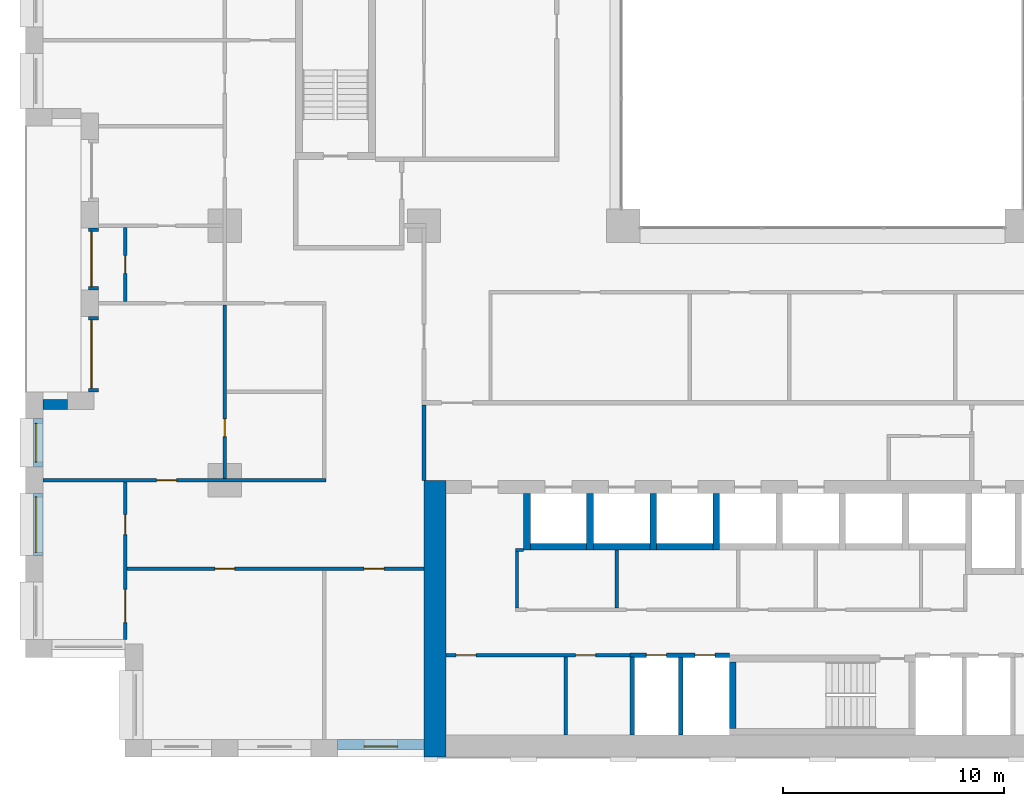
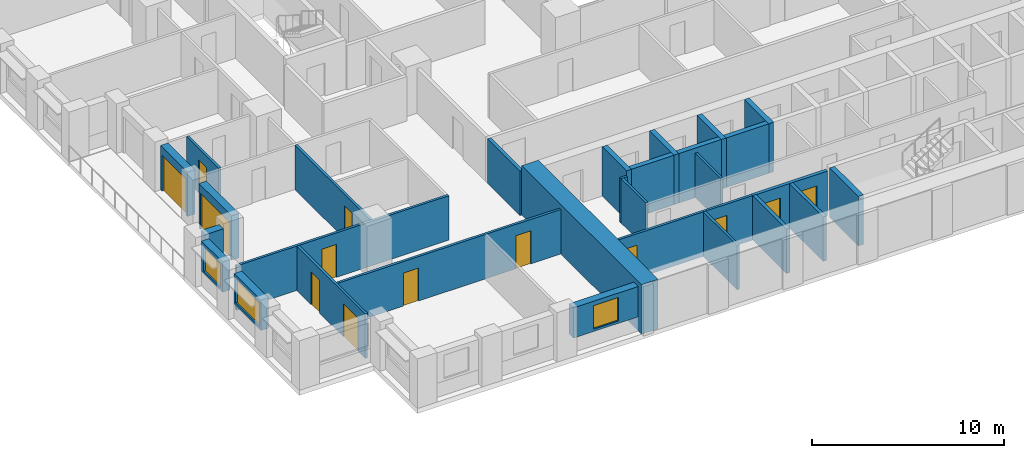
# One storey, part 9 of 20: 29 walls, 13 doors, 3 windows, 16 openings.
"""IFC4 building model written with IfcOpenShell, lengths in metres."""

from ifc_helpers import new_model, si_unit, direction, frame, frame_2d, origin, place, context, subcontext, project, spatial, rectangle, extrude, material, layer, layer_set, type_object, element, fill, save


model = new_model("IFC4")

# Units and contexts
model_context = context("Model", 3, precision=1e-05, world=origin(), true_north=direction((0.0, 1.0)))
body_context = subcontext(model_context, "Body", "Model", "MODEL_VIEW")
ifc_project = project(units=[si_unit("LENGTHUNIT", "METRE"), si_unit("AREAUNIT", "SQUARE_METRE"), si_unit("VOLUMEUNIT", "CUBIC_METRE"), si_unit("PLANEANGLEUNIT", "RADIAN"), si_unit("MASSUNIT", "GRAM", prefix="KILO")], contexts=[model_context])

# Site, building, storey
site_placement = place(None, origin())
site = spatial("IfcSite", under=ifc_project, at=site_placement, CompositionType="ELEMENT")
building_placement = place(site_placement, origin())
building = spatial("IfcBuilding", under=site, at=building_placement, Name="Brigalow Station Residences", CompositionType="ELEMENT")
storey_placement = place(building_placement, frame((0.0, 0.0, 66.75)))
storey = spatial("IfcBuildingStorey", under=building, at=storey_placement, Name="L19", CompositionType="ELEMENT", Elevation=66.75)

# Wall, opening, window
ifc_material_1 = material(Name="Clay brick masonry", Category="masonry")
ifc_layer_1 = layer(ifc_material_1, 0.449951171875)
ifc_layer_set_1 = layer_set([ifc_layer_1], Name="BRICK INFILL WALL 450")
wall_type_1 = type_object("IfcWallType", Name="BRICK INFILL WALL 450", PredefinedType="SOLIDWALL", material=ifc_layer_set_1)
wall_1_placement = place(storey_placement, frame((14.10009765625, 0.574951171875, 0.89990234375), z_axis=(0.0, 0.0, 1.0), x_axis=(1.0, 0.0, 0.0)))
wall_1 = element("IfcWall", 1, at=wall_1_placement, inside=storey, type_object=wall_type_1, Name="L19/ewall/W-L19-3", PredefinedType="SOLIDWALL", context=body_context, shape_type="SweptSolid", body=[
    extrude(rectangle(XDim=3.89990234375, YDim=0.449951171875, at=frame_2d((1.949951171875, 0.0))), origin(), (0.0, 0.0, 1.0), 1.93017578125),
])
opening_1_placement = place(wall_1_placement, frame((1.199951171875, 0.0, 0.14990234375)))
opening_1 = element("IfcOpeningElement", 2, at=opening_1_placement, cuts=wall_1, Name="Opening WT-1", PredefinedType="OPENING", context=body_context, shape_type="SweptSolid", body=[
    extrude(rectangle(XDim=1.5, YDim=1.5, at=frame_2d((0.75, 0.75))), frame((0.0, 0.23486328125, 0.0), z_axis=(0.0, -1.0, 0.0), x_axis=(1.0, 0.0, 0.0)), (0.0, 0.0, 1.0), 0.469970703125),
])
ifc_material_2 = material(Name="Anodised aluminium frame with double glazing", Category="aluminium")
window_type_1 = type_object("IfcWindowType", Name="WINDOW 1500x1500", PartitioningType="SINGLE_PANEL", PredefinedType="WINDOW", material=ifc_material_2)
window_1_placement = place(opening_1_placement, origin())
window_1 = element("IfcWindow", 3, at=window_1_placement, inside=storey, type_object=window_type_1, Name="L19/window/W-L19-3", OverallHeight=1.5, OverallWidth=1.5, PartitioningType="SINGLE_PANEL", PredefinedType="WINDOW", context=body_context, shape_type="SweptSolid", body=[
    extrude(rectangle(XDim=1.5, YDim=1.5, at=frame_2d((0.75, 0.75))), frame((0.0, -0.06494140625, 0.0), z_axis=(0.0, -1.0, 0.0), x_axis=(1.0, 0.0, 0.0)), (0.0, 0.0, 1.0), 0.06005859375),
])
fill(opening_1, window_1)

# Wall, opening, door
wall_2_placement = place(storey_placement, frame((3.074951171875, 23.89990234375, 0.0), z_axis=(0.0, 0.0, 1.0), x_axis=(0.0, -1.0, 0.0)))
wall_2 = element("IfcWall", 4, at=wall_2_placement, inside=storey, type_object=wall_type_1, Name="L19/ewall/W-L19-48", PredefinedType="SOLIDWALL", context=body_context, shape_type="SweptSolid", body=[
    extrude(rectangle(XDim=2.7998046875, YDim=0.449951171875, at=frame_2d((1.39990234375, 0.0))), origin(), (0.0, 0.0, 1.0), 2.830078125),
])
opening_2_placement = place(wall_2_placement, frame((0.14990234375, 0.0, 0.0)))
opening_2 = element("IfcOpeningElement", 5, at=opening_2_placement, cuts=wall_2, Name="Opening D-B2500", PredefinedType="OPENING", context=body_context, shape_type="SweptSolid", body=[
    extrude(rectangle(XDim=2.5, YDim=2.300048828125, at=frame_2d((1.25, 1.14990234375))), frame((0.0, 0.23486328125, 0.0), z_axis=(0.0, -1.0, 0.0), x_axis=(1.0, 0.0, 0.0)), (0.0, 0.0, 1.0), 0.469970703125),
])
ifc_material_3 = material(Name="Anodised aluminium frame with double glazing", Category="aluminium")
door_type_1 = type_object("IfcDoorType", Name="BALCONY SLIDING DOOR 2500x2300", OperationType="SLIDING_TO_LEFT", PredefinedType="DOOR", material=ifc_material_3)
door_1_placement = place(opening_2_placement, origin())
door_1 = element("IfcDoor", 6, at=door_1_placement, inside=storey, type_object=door_type_1, Name="L19/balcony-door/W-L19-48", OperationType="SLIDING_TO_LEFT", OverallHeight=2.300048828125, OverallWidth=2.5, PredefinedType="DOOR", context=body_context, shape_type="SweptSolid", body=[
    extrude(rectangle(XDim=2.5, YDim=2.300048828125, at=frame_2d((1.25, 1.14990234375))), frame((0.0, -0.06982421875, 0.0), z_axis=(0.0, -1.0, 0.0), x_axis=(1.0, 0.0, 0.0)), (0.0, 0.0, 1.0), 0.050048828125),
])
fill(opening_2, door_1)

wall_3_placement = place(storey_placement, frame((3.074951171875, 19.89990234375, 0.0), z_axis=(0.0, 0.0, 1.0), x_axis=(0.0, -1.0, 0.0)))
wall_3 = element("IfcWall", 7, at=wall_3_placement, inside=storey, type_object=wall_type_1, Name="L19/ewall/W-L19-49", PredefinedType="SOLIDWALL", context=body_context, shape_type="SweptSolid", body=[
    extrude(rectangle(XDim=3.39990234375, YDim=0.449951171875, at=frame_2d((1.699951171875, 0.0))), origin(), (0.0, 0.0, 1.0), 2.830078125),
])
opening_3_placement = place(wall_3_placement, frame((0.14990234375, 0.0, 0.0)))
opening_3 = element("IfcOpeningElement", 8, at=opening_3_placement, cuts=wall_3, Name="Opening D-B3100", PredefinedType="OPENING", context=body_context, shape_type="SweptSolid", body=[
    extrude(rectangle(XDim=3.10009765625, YDim=2.300048828125, at=frame_2d((1.550048828125, 1.14990234375))), frame((0.0, 0.23486328125, 0.0), z_axis=(0.0, -1.0, 0.0), x_axis=(1.0, 0.0, 0.0)), (0.0, 0.0, 1.0), 0.469970703125),
])
ifc_material_4 = material(Name="Anodised aluminium frame with double glazing", Category="aluminium")
door_type_2 = type_object("IfcDoorType", Name="BALCONY SLIDING DOOR 3100x2300", OperationType="SLIDING_TO_LEFT", PredefinedType="DOOR", material=ifc_material_4)
door_2_placement = place(opening_3_placement, origin())
door_2 = element("IfcDoor", 9, at=door_2_placement, inside=storey, type_object=door_type_2, Name="L19/balcony-door/W-L19-49", OperationType="SLIDING_TO_LEFT", OverallHeight=2.300048828125, OverallWidth=3.10009765625, PredefinedType="DOOR", context=body_context, shape_type="SweptSolid", body=[
    extrude(rectangle(XDim=3.10009765625, YDim=2.300048828125, at=frame_2d((1.550048828125, 1.14990234375))), frame((0.0, -0.06982421875, 0.0), z_axis=(0.0, -1.0, 0.0), x_axis=(1.0, 0.0, 0.0)), (0.0, 0.0, 1.0), 0.050048828125),
])
fill(opening_3, door_2)

# Wall
wall_4_placement = place(storey_placement, frame((1.89990234375, 15.925048828125, 0.89990234375), z_axis=(0.0, 0.0, 1.0), x_axis=(-1.0, 0.0, 0.0)))
element("IfcWall", 10, at=wall_4_placement, inside=storey, type_object=wall_type_1, Name="L19/ewall/W-L19-50", PredefinedType="SOLIDWALL", context=body_context, shape_type="SweptSolid", body=[
    extrude(rectangle(XDim=1.099853515625, YDim=0.449951171875, at=frame_2d((0.5498046875, 0.0))), origin(), (0.0, 0.0, 1.0), 1.93017578125),
])

# Wall, opening, window
wall_5_placement = place(storey_placement, frame((0.574951171875, 15.300048828125, 0.89990234375), z_axis=(0.0, 0.0, 1.0), x_axis=(0.0, -1.0, 0.0)))
wall_5 = element("IfcWall", 11, at=wall_5_placement, inside=storey, type_object=wall_type_1, Name="L19/ewall/W-L19-51", PredefinedType="SOLIDWALL", context=body_context, shape_type="SweptSolid", body=[
    extrude(rectangle(XDim=2.199951171875, YDim=0.449951171875, at=frame_2d((1.10009765625, 0.0))), origin(), (0.0, 0.0, 1.0), 1.93017578125),
])
opening_4_placement = place(wall_5_placement, frame((0.22509765625, 0.0, 0.14990234375)))
opening_4 = element("IfcOpeningElement", 12, at=opening_4_placement, cuts=wall_5, Name="Opening WT-4", PredefinedType="OPENING", context=body_context, shape_type="SweptSolid", body=[
    extrude(rectangle(XDim=1.75, YDim=1.5, at=frame_2d((0.875, 0.75))), frame((0.0, 0.23486328125, 0.0), z_axis=(0.0, -1.0, 0.0), x_axis=(1.0, 0.0, 0.0)), (0.0, 0.0, 1.0), 0.469970703125),
])
ifc_material_5 = material(Name="Anodised aluminium frame with double glazing", Category="aluminium")
window_type_2 = type_object("IfcWindowType", Name="WINDOW 1750x1500", PartitioningType="SINGLE_PANEL", PredefinedType="WINDOW", material=ifc_material_5)
window_2_placement = place(opening_4_placement, origin())
window_2 = element("IfcWindow", 13, at=window_2_placement, inside=storey, type_object=window_type_2, Name="L19/window/W-L19-51", OverallHeight=1.5, OverallWidth=1.75, PartitioningType="SINGLE_PANEL", PredefinedType="WINDOW", context=body_context, shape_type="SweptSolid", body=[
    extrude(rectangle(XDim=1.75, YDim=1.5, at=frame_2d((0.875, 0.75))), frame((0.0, -0.06494140625, 0.0), z_axis=(0.0, -1.0, 0.0), x_axis=(1.0, 0.0, 0.0)), (0.0, 0.0, 1.0), 0.06005859375),
])
fill(opening_4, window_2)

wall_6_placement = place(storey_placement, frame((0.574951171875, 11.89990234375, 0.89990234375), z_axis=(0.0, 0.0, 1.0), x_axis=(0.0, -1.0, 0.0)))
wall_6 = element("IfcWall", 14, at=wall_6_placement, inside=storey, type_object=wall_type_1, Name="L19/ewall/W-L19-52", PredefinedType="SOLIDWALL", context=body_context, shape_type="SweptSolid", body=[
    extrude(rectangle(XDim=2.7998046875, YDim=0.449951171875, at=frame_2d((1.39990234375, 0.0))), origin(), (0.0, 0.0, 1.0), 1.93017578125),
])
opening_5_placement = place(wall_6_placement, frame((0.14990234375, 0.0, 0.14990234375)))
opening_5 = element("IfcOpeningElement", 15, at=opening_5_placement, cuts=wall_6, Name="Opening WT-5", PredefinedType="OPENING", context=body_context, shape_type="SweptSolid", body=[
    extrude(rectangle(XDim=2.5, YDim=1.5, at=frame_2d((1.25, 0.75))), frame((0.0, 0.23486328125, 0.0), z_axis=(0.0, -1.0, 0.0), x_axis=(1.0, 0.0, 0.0)), (0.0, 0.0, 1.0), 0.469970703125),
])
ifc_material_6 = material(Name="Anodised aluminium frame with double glazing", Category="aluminium")
window_type_3 = type_object("IfcWindowType", Name="WINDOW 2500x1500", PartitioningType="SINGLE_PANEL", PredefinedType="WINDOW", material=ifc_material_6)
window_3_placement = place(opening_5_placement, origin())
window_3 = element("IfcWindow", 16, at=window_3_placement, inside=storey, type_object=window_type_3, Name="L19/window/W-L19-52", OverallHeight=1.5, OverallWidth=2.5, PartitioningType="SINGLE_PANEL", PredefinedType="WINDOW", context=body_context, shape_type="SweptSolid", body=[
    extrude(rectangle(XDim=2.5, YDim=1.5, at=frame_2d((1.25, 0.75))), frame((0.0, -0.06494140625, 0.0), z_axis=(0.0, -1.0, 0.0), x_axis=(1.0, 0.0, 0.0)), (0.0, 0.0, 1.0), 0.06005859375),
])
fill(opening_5, window_3)

# Walls
ifc_material_7 = material(Name="Concrete C80", Category="concrete")
ifc_layer_2 = layer(ifc_material_7, 1.0)
ifc_layer_set_2 = layer_set([ifc_layer_2], Name="CORE SHEAR WALL 1000 C80")
wall_type_2 = type_object("IfcWallType", Name="CORE SHEAR WALL 1000 C80", PredefinedType="SHEAR", material=ifc_layer_set_2)
wall_7_placement = place(storey_placement, frame((18.5, 0.0, 0.0), z_axis=(0.0, 0.0, 1.0), x_axis=(0.0, 1.0, 0.0)))
element("IfcWall", 17, at=wall_7_placement, inside=storey, type_object=wall_type_2, Name="CORE WALL OUT-W L19", PredefinedType="SHEAR", context=body_context, shape_type="SweptSolid", body=[
    extrude(rectangle(XDim=12.5, YDim=1.0, at=frame_2d((6.25, 0.0))), origin(), (0.0, 0.0, 1.0), 3.14990234375),
])
ifc_material_8 = material(Name="Concrete C80", Category="concrete")
ifc_layer_3 = layer(ifc_material_8, 0.300048828125)
ifc_layer_set_3 = layer_set([ifc_layer_3], Name="CORE SHEAR WALL 300 C80")
wall_type_3 = type_object("IfcWallType", Name="CORE SHEAR WALL 300 C80", PredefinedType="SHEAR", material=ifc_layer_set_3)
wall_8_placement = place(storey_placement, frame((22.800048828125, 9.5, 0.0), z_axis=(0.0, 0.0, 1.0), x_axis=(1.0, 0.0, 0.0)))
element("IfcWall", 18, at=wall_8_placement, inside=storey, type_object=wall_type_3, Name="CORE WALL SH-P1-S L19", PredefinedType="SHEAR", context=body_context, shape_type="SweptSolid", body=[
    extrude(rectangle(XDim=2.550048828125, YDim=0.300048828125, at=frame_2d((1.27490234375, 0.0))), origin(), (0.0, 0.0, 1.0), 3.14990234375),
])
wall_9_placement = place(storey_placement, frame((22.64990234375, 9.35009765625, 0.0), z_axis=(0.0, 0.0, 1.0), x_axis=(0.0, 1.0, 0.0)))
element("IfcWall", 19, at=wall_9_placement, inside=storey, type_object=wall_type_3, Name="CORE WALL SH-P1-W L19", PredefinedType="SHEAR", context=body_context, shape_type="SweptSolid", body=[
    extrude(rectangle(XDim=2.5498046875, YDim=0.300048828125, at=frame_2d((1.27490234375, 0.0))), origin(), (0.0, 0.0, 1.0), 3.14990234375),
])
wall_10_placement = place(storey_placement, frame((25.64990234375, 9.5, 0.0), z_axis=(0.0, 0.0, 1.0), x_axis=(1.0, 0.0, 0.0)))
element("IfcWall", 20, at=wall_10_placement, inside=storey, type_object=wall_type_3, Name="CORE WALL SH-P2-S L19", PredefinedType="SHEAR", context=body_context, shape_type="SweptSolid", body=[
    extrude(rectangle(XDim=2.550048828125, YDim=0.300048828125, at=frame_2d((1.27490234375, 0.0))), origin(), (0.0, 0.0, 1.0), 3.14990234375),
])
wall_11_placement = place(storey_placement, frame((25.5, 9.35009765625, 0.0), z_axis=(0.0, 0.0, 1.0), x_axis=(0.0, 1.0, 0.0)))
element("IfcWall", 21, at=wall_11_placement, inside=storey, type_object=wall_type_3, Name="CORE WALL SH-P2-W L19", PredefinedType="SHEAR", context=body_context, shape_type="SweptSolid", body=[
    extrude(rectangle(XDim=2.5498046875, YDim=0.300048828125, at=frame_2d((1.27490234375, 0.0))), origin(), (0.0, 0.0, 1.0), 3.14990234375),
])
wall_12_placement = place(storey_placement, frame((28.5, 9.5, 0.0), z_axis=(0.0, 0.0, 1.0), x_axis=(1.0, 0.0, 0.0)))
element("IfcWall", 22, at=wall_12_placement, inside=storey, type_object=wall_type_3, Name="CORE WALL SH-P3-S L19", PredefinedType="SHEAR", context=body_context, shape_type="SweptSolid", body=[
    extrude(rectangle(XDim=2.550048828125, YDim=0.300048828125, at=frame_2d((1.27490234375, 0.0))), origin(), (0.0, 0.0, 1.0), 3.14990234375),
])
for number, where, z_axis, x_axis, name in (
    (23, (28.35009765625, 9.35009765625, 0.0), (0.0, 0.0, 1.0), (0.0, 1.0, 0.0), "CORE WALL SH-P3-W L19"),
    (24, (31.199951171875, 9.35009765625, 0.0), (0.0, 0.0, 1.0), (0.0, 1.0, 0.0), "CORE WALL SH-P4-W L19"),
):
    element("IfcWall", number, at=place(storey_placement, frame(where, z_axis=z_axis, x_axis=x_axis)), inside=storey, type_object=wall_type_3, Name=name, PredefinedType="SHEAR", context=body_context, shape_type="SweptSolid", body=[
        extrude(rectangle(XDim=2.5498046875, YDim=0.300048828125, at=frame_2d((1.27490234375, 0.0))), origin(), (0.0, 0.0, 1.0), 3.14990234375),
    ])
wall_13_placement = place(storey_placement, frame((31.949951171875, 1.300048828125, 0.0), z_axis=(0.0, 0.0, 1.0), x_axis=(0.0, 1.0, 0.0)))
element("IfcWall", 25, at=wall_13_placement, inside=storey, type_object=wall_type_3, Name="CORE WALL ST-S2-W L19", PredefinedType="SHEAR", context=body_context, shape_type="SweptSolid", body=[
    extrude(rectangle(XDim=3.0, YDim=0.300048828125, at=frame_2d((1.5, 0.0))), origin(), (0.0, 0.0, 1.0), 3.14990234375),
])

# Wall, openings, doors
ifc_material_9 = material(Name="Concrete blockwork", Category="masonry")
ifc_layer_4 = layer(ifc_material_9, 0.199951171875)
ifc_layer_set_4 = layer_set([ifc_layer_4], Name="FIRE RATED CORE PARTITION 200")
wall_type_4 = type_object("IfcWallType", Name="FIRE RATED CORE PARTITION 200", PredefinedType="PARTITIONING", material=ifc_layer_set_4)
wall_14_placement = place(storey_placement, frame((27.300048828125, 4.60009765625, 0.0), z_axis=(0.0, 0.0, 1.0), x_axis=(1.0, 0.0, 0.0)))
wall_14 = element("IfcWall", 26, at=wall_14_placement, inside=storey, type_object=wall_type_4, Name="PW-5017", PredefinedType="PARTITIONING", context=body_context, shape_type="SweptSolid", body=[
    extrude(rectangle(XDim=4.5, YDim=0.199951171875, at=frame_2d((2.25, 0.0))), origin(), (0.0, 0.0, 1.0), 2.830078125),
])
opening_6_placement = place(wall_14_placement, frame((0.75, 0.0, 0.0)))
opening_6 = element("IfcOpeningElement", 27, at=opening_6_placement, cuts=wall_14, Name="Opening D-5007", PredefinedType="OPENING", context=body_context, shape_type="SweptSolid", body=[
    extrude(rectangle(XDim=0.89990234375, YDim=2.10009765625, at=frame_2d((0.449951171875, 1.050048828125))), frame((0.0, 0.10986328125, 0.0), z_axis=(0.0, -1.0, 0.0), x_axis=(1.0, 0.0, 0.0)), (0.0, 0.0, 1.0), 0.219970703125),
])
opening_7_placement = place(wall_14_placement, frame((2.949951171875, 0.0, 0.0)))
opening_7 = element("IfcOpeningElement", 28, at=opening_7_placement, cuts=wall_14, Name="Opening D-5008", PredefinedType="OPENING", context=body_context, shape_type="SweptSolid", body=[
    extrude(rectangle(XDim=0.89990234375, YDim=2.10009765625, at=frame_2d((0.449951171875, 1.050048828125))), frame((0.0, 0.10986328125, 0.0), z_axis=(0.0, -1.0, 0.0), x_axis=(1.0, 0.0, 0.0)), (0.0, 0.0, 1.0), 0.219970703125),
])
ifc_material_10 = material(Name="Steel fire door leaf in steel frame", Category="steel")
door_type_3 = type_object("IfcDoorType", Name="RISER ACCESS DOOR 900 x 2100 FD120", OperationType="SINGLE_SWING_LEFT", PredefinedType="DOOR", material=ifc_material_10)
door_3_placement = place(opening_6_placement, frame((0.89990234375, 0.0, 0.0), z_axis=(0.0, 0.0, 1.0), x_axis=(-1.0, 0.0, 0.0)))
door_3 = element("IfcDoor", 29, at=door_3_placement, inside=storey, type_object=door_type_3, Name="D-5007", OperationType="SINGLE_SWING_RIGHT", OverallHeight=2.10009765625, OverallWidth=0.89990234375, PredefinedType="DOOR", context=body_context, shape_type="SweptSolid", body=[
    extrude(rectangle(XDim=0.89990234375, YDim=2.10009765625, at=frame_2d((0.449951171875, 1.050048828125))), frame((0.0, 0.02490234375, 0.0), z_axis=(0.0, -1.0, 0.0), x_axis=(1.0, 0.0, 0.0)), (0.0, 0.0, 1.0), 0.050048828125),
])
fill(opening_6, door_3)
door_4_placement = place(opening_7_placement, frame((0.89990234375, 0.0, 0.0), z_axis=(0.0, 0.0, 1.0), x_axis=(-1.0, 0.0, 0.0)))
door_4 = element("IfcDoor", 30, at=door_4_placement, inside=storey, type_object=door_type_3, Name="D-5008", OperationType="SINGLE_SWING_RIGHT", OverallHeight=2.10009765625, OverallWidth=0.89990234375, PredefinedType="DOOR", context=body_context, shape_type="SweptSolid", body=[
    extrude(rectangle(XDim=0.89990234375, YDim=2.10009765625, at=frame_2d((0.449951171875, 1.050048828125))), frame((0.0, 0.02490234375, 0.0), z_axis=(0.0, -1.0, 0.0), x_axis=(1.0, 0.0, 0.0)), (0.0, 0.0, 1.0), 0.050048828125),
])
fill(opening_7, door_4)

# Walls
wall_15_placement = place(storey_placement, frame((27.39990234375, 1.0, 0.0), z_axis=(0.0, 0.0, 1.0), x_axis=(0.0, 1.0, 0.0)))
element("IfcWall", 31, at=wall_15_placement, inside=storey, type_object=wall_type_4, Name="PW-5027", PredefinedType="PARTITIONING", context=body_context, shape_type="SweptSolid", body=[
    extrude(rectangle(XDim=3.52490234375, YDim=0.199951171875, at=frame_2d((1.762451171875, 0.0))), origin(), (0.0, 0.0, 1.0), 2.830078125),
])
wall_16_placement = place(storey_placement, frame((29.60009765625, 1.0, 0.0), z_axis=(0.0, 0.0, 1.0), x_axis=(0.0, 1.0, 0.0)))
element("IfcWall", 32, at=wall_16_placement, inside=storey, type_object=wall_type_4, Name="PW-5006", PredefinedType="PARTITIONING", context=body_context, shape_type="SweptSolid", body=[
    extrude(rectangle(XDim=3.5, YDim=0.199951171875, at=frame_2d((1.75, 0.0))), origin(), (0.0, 0.0, 1.0), 2.830078125),
])
wall_17_placement = place(storey_placement, frame((18.0, 12.5, 0.0), z_axis=(0.0, 0.0, 1.0), x_axis=(0.0, 1.0, 0.0)))
element("IfcWall", 33, at=wall_17_placement, inside=storey, type_object=wall_type_4, Name="PW-5013", PredefinedType="PARTITIONING", context=body_context, shape_type="SweptSolid", body=[
    extrude(rectangle(XDim=3.39990234375, YDim=0.199951171875, at=frame_2d((1.699951171875, 0.0))), origin(), (0.0, 0.0, 1.0), 2.830078125),
])

# Wall, openings, doors
ifc_material_11 = material(Name="Plasterboard on steel stud partition", Category="steel")
ifc_layer_5 = layer(ifc_material_11, 0.14990234375)
ifc_layer_set_5 = layer_set([ifc_layer_5], Name="FLAT PARTITION 150")
wall_type_5 = type_object("IfcWallType", Name="FLAT PARTITION 150", PredefinedType="PARTITIONING", material=ifc_layer_set_5)
wall_18_placement = place(storey_placement, frame((4.574951171875, 8.5, 0.0), z_axis=(0.0, 0.0, 1.0), x_axis=(1.0, 0.0, 0.0)))
wall_18 = element("IfcWall", 34, at=wall_18_placement, inside=storey, type_object=wall_type_5, Name="PW-1G10", PredefinedType="PARTITIONING", context=body_context, shape_type="SweptSolid", body=[
    extrude(rectangle(XDim=13.425048828125, YDim=0.14990234375, at=frame_2d((6.71240234375, 0.0))), origin(), (0.0, 0.0, 1.0), 2.830078125),
])
opening_8_placement = place(wall_18_placement, frame((10.72509765625, 0.0, 0.0)))
opening_8 = element("IfcOpeningElement", 35, at=opening_8_placement, cuts=wall_18, Name="Opening D-1G12", PredefinedType="OPENING", context=body_context, shape_type="SweptSolid", body=[
    extrude(rectangle(XDim=0.89990234375, YDim=2.10009765625, at=frame_2d((0.449951171875, 1.050048828125))), frame((0.0, 0.0849609375, 0.0), z_axis=(0.0, -1.0, 0.0), x_axis=(1.0, 0.0, 0.0)), (0.0, 0.0, 1.0), 0.169921875),
])
opening_9_placement = place(wall_18_placement, frame((3.97509765625, 0.0, 0.0)))
opening_9 = element("IfcOpeningElement", 36, at=opening_9_placement, cuts=wall_18, Name="Opening D-1G14", PredefinedType="OPENING", context=body_context, shape_type="SweptSolid", body=[
    extrude(rectangle(XDim=0.89990234375, YDim=2.10009765625, at=frame_2d((0.449951171875, 1.050048828125))), frame((0.0, 0.0849609375, 0.0), z_axis=(0.0, -1.0, 0.0), x_axis=(1.0, 0.0, 0.0)), (0.0, 0.0, 1.0), 0.169921875),
])
ifc_material_12 = material(Name="Solid-core timber door leaf", Category="wood")
door_type_4 = type_object("IfcDoorType", Name="INTERNAL DOOR 900 x 2100", OperationType="SINGLE_SWING_LEFT", PredefinedType="DOOR", material=ifc_material_12)
door_5_placement = place(opening_8_placement, frame((0.89990234375, 0.0, 0.0), z_axis=(0.0, 0.0, 1.0), x_axis=(-1.0, 0.0, 0.0)))
door_5 = element("IfcDoor", 37, at=door_5_placement, inside=storey, type_object=door_type_4, Name="D-1G12", OperationType="SINGLE_SWING_RIGHT", OverallHeight=2.10009765625, OverallWidth=0.89990234375, PredefinedType="DOOR", context=body_context, shape_type="SweptSolid", body=[
    extrude(rectangle(XDim=0.89990234375, YDim=2.10009765625, at=frame_2d((0.449951171875, 1.050048828125))), frame((0.0, 0.02490234375, 0.0), z_axis=(0.0, -1.0, 0.0), x_axis=(1.0, 0.0, 0.0)), (0.0, 0.0, 1.0), 0.050048828125),
])
fill(opening_8, door_5)
door_6_placement = place(opening_9_placement, frame((0.89990234375, 0.0, 0.0), z_axis=(0.0, 0.0, 1.0), x_axis=(-1.0, 0.0, 0.0)))
door_6 = element("IfcDoor", 38, at=door_6_placement, inside=storey, type_object=door_type_4, Name="D-1G14", OperationType="SINGLE_SWING_LEFT", OverallHeight=2.10009765625, OverallWidth=0.89990234375, PredefinedType="DOOR", context=body_context, shape_type="SweptSolid", body=[
    extrude(rectangle(XDim=0.89990234375, YDim=2.10009765625, at=frame_2d((0.449951171875, 1.050048828125))), frame((0.0, 0.02490234375, 0.0), z_axis=(0.0, -1.0, 0.0), x_axis=(1.0, 0.0, 0.0)), (0.0, 0.0, 1.0), 0.050048828125),
])
fill(opening_9, door_6)

# Wall, opening, door
wall_19_placement = place(storey_placement, frame((0.800048828125, 12.5, 0.0), z_axis=(0.0, 0.0, 1.0), x_axis=(1.0, 0.0, 0.0)))
wall_19 = element("IfcWall", 39, at=wall_19_placement, inside=storey, type_object=wall_type_5, Name="PW-1G12", PredefinedType="PARTITIONING", context=body_context, shape_type="SweptSolid", body=[
    extrude(rectangle(XDim=12.77490234375, YDim=0.14990234375, at=frame_2d((6.387451171875, 0.0))), origin(), (0.0, 0.0, 1.0), 2.830078125),
])
opening_10_placement = place(wall_19_placement, frame((5.125, 0.0, 0.0)))
opening_10 = element("IfcOpeningElement", 40, at=opening_10_placement, cuts=wall_19, Name="Opening D-1G15", PredefinedType="OPENING", context=body_context, shape_type="SweptSolid", body=[
    extrude(rectangle(XDim=0.89990234375, YDim=2.10009765625, at=frame_2d((0.449951171875, 1.050048828125))), frame((0.0, 0.0849609375, 0.0), z_axis=(0.0, -1.0, 0.0), x_axis=(1.0, 0.0, 0.0)), (0.0, 0.0, 1.0), 0.169921875),
])
door_7_placement = place(opening_10_placement, origin())
door_7 = element("IfcDoor", 41, at=door_7_placement, inside=storey, type_object=door_type_4, Name="D-1G15", OperationType="SINGLE_SWING_RIGHT", OverallHeight=2.10009765625, OverallWidth=0.89990234375, PredefinedType="DOOR", context=body_context, shape_type="SweptSolid", body=[
    extrude(rectangle(XDim=0.89990234375, YDim=2.10009765625, at=frame_2d((0.449951171875, 1.050048828125))), frame((0.0, 0.02490234375, 0.0), z_axis=(0.0, -1.0, 0.0), x_axis=(1.0, 0.0, 0.0)), (0.0, 0.0, 1.0), 0.050048828125),
])
fill(opening_10, door_7)

# Wall, openings, doors
wall_20_placement = place(storey_placement, frame((4.5, 5.300048828125, 0.0), z_axis=(0.0, 0.0, 1.0), x_axis=(0.0, 1.0, 0.0)))
wall_20 = element("IfcWall", 42, at=wall_20_placement, inside=storey, type_object=wall_type_5, Name="PW-1G53", PredefinedType="PARTITIONING", context=body_context, shape_type="SweptSolid", body=[
    extrude(rectangle(XDim=7.125, YDim=0.14990234375, at=frame_2d((3.5625, 0.0))), origin(), (0.0, 0.0, 1.0), 2.830078125),
])
opening_11_placement = place(wall_20_placement, frame((4.75, 0.0, 0.0)))
opening_11 = element("IfcOpeningElement", 43, at=opening_11_placement, cuts=wall_20, Name="Opening D-1G07", PredefinedType="OPENING", context=body_context, shape_type="SweptSolid", body=[
    extrude(rectangle(XDim=0.89990234375, YDim=2.10009765625, at=frame_2d((0.449951171875, 1.050048828125))), frame((0.0, 0.0849609375, 0.0), z_axis=(0.0, -1.0, 0.0), x_axis=(1.0, 0.0, 0.0)), (0.0, 0.0, 1.0), 0.169921875),
])
opening_12_placement = place(wall_20_placement, frame((0.77490234375, 0.0, 0.0)))
opening_12 = element("IfcOpeningElement", 44, at=opening_12_placement, cuts=wall_20, Name="Opening D-1G08", PredefinedType="OPENING", context=body_context, shape_type="SweptSolid", body=[
    extrude(rectangle(XDim=1.5, YDim=2.10009765625, at=frame_2d((0.75, 1.050048828125))), frame((0.0, 0.0849609375, 0.0), z_axis=(0.0, -1.0, 0.0), x_axis=(1.0, 0.0, 0.0)), (0.0, 0.0, 1.0), 0.169921875),
])
door_8_placement = place(opening_11_placement, origin())
door_8 = element("IfcDoor", 45, at=door_8_placement, inside=storey, type_object=door_type_4, Name="D-1G07", OperationType="SINGLE_SWING_RIGHT", OverallHeight=2.10009765625, OverallWidth=0.89990234375, PredefinedType="DOOR", context=body_context, shape_type="SweptSolid", body=[
    extrude(rectangle(XDim=0.89990234375, YDim=2.10009765625, at=frame_2d((0.449951171875, 1.050048828125))), frame((0.0, 0.02490234375, 0.0), z_axis=(0.0, -1.0, 0.0), x_axis=(1.0, 0.0, 0.0)), (0.0, 0.0, 1.0), 0.050048828125),
])
fill(opening_11, door_8)
ifc_material_13 = material(Name="Solid-core timber door leaf", Category="wood")
door_type_5 = type_object("IfcDoorType", Name="INTERNAL DOUBLE DOOR 1500 x 2100", OperationType="DOUBLE_DOOR_SINGLE_SWING", PredefinedType="DOOR", material=ifc_material_13)
door_9_placement = place(opening_12_placement, origin())
door_9 = element("IfcDoor", 46, at=door_9_placement, inside=storey, type_object=door_type_5, Name="D-1G08", OperationType="DOUBLE_DOOR_SINGLE_SWING", OverallHeight=2.10009765625, OverallWidth=1.5, PredefinedType="DOOR", context=body_context, shape_type="SweptSolid", body=[
    extrude(rectangle(XDim=1.5, YDim=2.10009765625, at=frame_2d((0.75, 1.050048828125))), frame((0.0, 0.02490234375, 0.0), z_axis=(0.0, -1.0, 0.0), x_axis=(1.0, 0.0, 0.0)), (0.0, 0.0, 1.0), 0.050048828125),
])
fill(opening_12, door_9)

# Wall, opening, door
wall_21_placement = place(storey_placement, frame((4.5, 20.574951171875, 0.0), z_axis=(0.0, 0.0, 1.0), x_axis=(0.0, 1.0, 0.0)))
wall_21 = element("IfcWall", 47, at=wall_21_placement, inside=storey, type_object=wall_type_5, Name="PW-1G54", PredefinedType="PARTITIONING", context=body_context, shape_type="SweptSolid", body=[
    extrude(rectangle(XDim=3.35009765625, YDim=0.14990234375, at=frame_2d((1.675048828125, 0.0))), origin(), (0.0, 0.0, 1.0), 2.830078125),
])
opening_13_placement = place(wall_21_placement, frame((1.27490234375, 0.0, 0.0)))
opening_13 = element("IfcOpeningElement", 48, at=opening_13_placement, cuts=wall_21, Name="Opening D-1G10", PredefinedType="OPENING", context=body_context, shape_type="SweptSolid", body=[
    extrude(rectangle(XDim=0.800048828125, YDim=2.10009765625, at=frame_2d((0.39990234375, 1.050048828125))), frame((0.0, 0.0849609375, 0.0), z_axis=(0.0, -1.0, 0.0), x_axis=(1.0, 0.0, 0.0)), (0.0, 0.0, 1.0), 0.169921875),
])
ifc_material_14 = material(Name="Solid-core timber door leaf", Category="wood")
door_type_6 = type_object("IfcDoorType", Name="INTERNAL DOOR 800 x 2100", OperationType="SINGLE_SWING_LEFT", PredefinedType="DOOR", material=ifc_material_14)
door_10_placement = place(opening_13_placement, origin())
door_10 = element("IfcDoor", 49, at=door_10_placement, inside=storey, type_object=door_type_6, Name="D-1G10", OperationType="SINGLE_SWING_LEFT", OverallHeight=2.10009765625, OverallWidth=0.800048828125, PredefinedType="DOOR", context=body_context, shape_type="SweptSolid", body=[
    extrude(rectangle(XDim=0.800048828125, YDim=2.10009765625, at=frame_2d((0.39990234375, 1.050048828125))), frame((0.0, 0.02490234375, 0.0), z_axis=(0.0, -1.0, 0.0), x_axis=(1.0, 0.0, 0.0)), (0.0, 0.0, 1.0), 0.050048828125),
])
fill(opening_13, door_10)

wall_22_placement = place(storey_placement, frame((9.0, 12.574951171875, 0.0), z_axis=(0.0, 0.0, 1.0), x_axis=(0.0, 1.0, 0.0)))
wall_22 = element("IfcWall", 50, at=wall_22_placement, inside=storey, type_object=wall_type_5, Name="PW-1G55", PredefinedType="PARTITIONING", context=body_context, shape_type="SweptSolid", body=[
    extrude(rectangle(XDim=7.85009765625, YDim=0.14990234375, at=frame_2d((3.925048828125, 0.0))), origin(), (0.0, 0.0, 1.0), 2.830078125),
])
opening_14_placement = place(wall_22_placement, frame((1.89990234375, 0.0, 0.0)))
opening_14 = element("IfcOpeningElement", 51, at=opening_14_placement, cuts=wall_22, Name="Opening D-1G11", PredefinedType="OPENING", context=body_context, shape_type="SweptSolid", body=[
    extrude(rectangle(XDim=0.800048828125, YDim=2.10009765625, at=frame_2d((0.39990234375, 1.050048828125))), frame((0.0, 0.0849609375, 0.0), z_axis=(0.0, -1.0, 0.0), x_axis=(1.0, 0.0, 0.0)), (0.0, 0.0, 1.0), 0.169921875),
])
door_11_placement = place(opening_14_placement, frame((0.800048828125, 0.0, 0.0), z_axis=(0.0, 0.0, 1.0), x_axis=(-1.0, 0.0, 0.0)))
door_11 = element("IfcDoor", 52, at=door_11_placement, inside=storey, type_object=door_type_6, Name="D-1G11", OperationType="SINGLE_SWING_LEFT", OverallHeight=2.10009765625, OverallWidth=0.800048828125, PredefinedType="DOOR", context=body_context, shape_type="SweptSolid", body=[
    extrude(rectangle(XDim=0.800048828125, YDim=2.10009765625, at=frame_2d((0.39990234375, 1.050048828125))), frame((0.0, 0.02490234375, 0.0), z_axis=(0.0, -1.0, 0.0), x_axis=(1.0, 0.0, 0.0)), (0.0, 0.0, 1.0), 0.050048828125),
])
fill(opening_14, door_11)

# Wall, openings, doors
ifc_material_15 = material(Name="Plasterboard on steel studs", Category="steel")
ifc_layer_6 = layer(ifc_material_15, 0.14990234375)
ifc_layer_set_6 = layer_set([ifc_layer_6], Name="SERVICE ROOM PARTITION 150")
wall_type_6 = type_object("IfcWallType", Name="SERVICE ROOM PARTITION 150", PredefinedType="PARTITIONING", material=ifc_layer_set_6)
wall_23_placement = place(storey_placement, frame((19.0, 4.60009765625, 0.0), z_axis=(0.0, 0.0, 1.0), x_axis=(1.0, 0.0, 0.0)))
wall_23 = element("IfcWall", 53, at=wall_23_placement, inside=storey, type_object=wall_type_6, Name="PW-5019", PredefinedType="PARTITIONING", context=body_context, shape_type="SweptSolid", body=[
    extrude(rectangle(XDim=8.300048828125, YDim=0.14990234375, at=frame_2d((4.14990234375, 0.0))), origin(), (0.0, 0.0, 1.0), 2.830078125),
])
opening_15_placement = place(wall_23_placement, frame((0.449951171875, 0.0, 0.0)))
opening_15 = element("IfcOpeningElement", 54, at=opening_15_placement, cuts=wall_23, Name="Opening D-5025", PredefinedType="OPENING", context=body_context, shape_type="SweptSolid", body=[
    extrude(rectangle(XDim=0.89990234375, YDim=2.10009765625, at=frame_2d((0.449951171875, 1.050048828125))), frame((0.0, 0.0849609375, 0.0), z_axis=(0.0, -1.0, 0.0), x_axis=(1.0, 0.0, 0.0)), (0.0, 0.0, 1.0), 0.169921875),
])
opening_16_placement = place(wall_23_placement, frame((5.85009765625, 0.0, 0.0)))
opening_16 = element("IfcOpeningElement", 55, at=opening_16_placement, cuts=wall_23, Name="Opening D-5035", PredefinedType="OPENING", context=body_context, shape_type="SweptSolid", body=[
    extrude(rectangle(XDim=0.89990234375, YDim=2.10009765625, at=frame_2d((0.449951171875, 1.050048828125))), frame((0.0, 0.0849609375, 0.0), z_axis=(0.0, -1.0, 0.0), x_axis=(1.0, 0.0, 0.0)), (0.0, 0.0, 1.0), 0.169921875),
])
ifc_material_16 = material(Name="Steel door leaf in steel frame", Category="steel")
door_type_7 = type_object("IfcDoorType", Name="SERVICE ROOM DOOR 900 x 2100 FD60", OperationType="SINGLE_SWING_LEFT", PredefinedType="DOOR", material=ifc_material_16)
door_12_placement = place(opening_15_placement, frame((0.89990234375, 0.0, 0.0), z_axis=(0.0, 0.0, 1.0), x_axis=(-1.0, 0.0, 0.0)))
door_12 = element("IfcDoor", 56, at=door_12_placement, inside=storey, type_object=door_type_7, Name="D-5025", OperationType="SINGLE_SWING_RIGHT", OverallHeight=2.10009765625, OverallWidth=0.89990234375, PredefinedType="DOOR", context=body_context, shape_type="SweptSolid", body=[
    extrude(rectangle(XDim=0.89990234375, YDim=2.10009765625, at=frame_2d((0.449951171875, 1.050048828125))), frame((0.0, 0.02490234375, 0.0), z_axis=(0.0, -1.0, 0.0), x_axis=(1.0, 0.0, 0.0)), (0.0, 0.0, 1.0), 0.050048828125),
])
fill(opening_15, door_12)
door_13_placement = place(opening_16_placement, frame((0.89990234375, 0.0, 0.0), z_axis=(0.0, 0.0, 1.0), x_axis=(-1.0, 0.0, 0.0)))
door_13 = element("IfcDoor", 57, at=door_13_placement, inside=storey, type_object=door_type_7, Name="D-5035", OperationType="SINGLE_SWING_RIGHT", OverallHeight=2.10009765625, OverallWidth=0.89990234375, PredefinedType="DOOR", context=body_context, shape_type="SweptSolid", body=[
    extrude(rectangle(XDim=0.89990234375, YDim=2.10009765625, at=frame_2d((0.449951171875, 1.050048828125))), frame((0.0, 0.02490234375, 0.0), z_axis=(0.0, -1.0, 0.0), x_axis=(1.0, 0.0, 0.0)), (0.0, 0.0, 1.0), 0.050048828125),
])
fill(opening_16, door_13)

# Walls
wall_24_placement = place(storey_placement, frame((22.125, 9.35009765625, 0.0), z_axis=(0.0, 0.0, 1.0), x_axis=(1.0, 0.0, 0.0)))
element("IfcWall", 58, at=wall_24_placement, inside=storey, type_object=wall_type_6, Name="PW-5022", PredefinedType="PARTITIONING", context=body_context, shape_type="SweptSolid", body=[
    extrude(rectangle(XDim=0.375, YDim=0.14990234375, at=frame_2d((0.1875, 0.0))), origin(), (0.0, 0.0, 1.0), 2.830078125),
])
wall_25_placement = place(storey_placement, frame((24.39990234375, 1.0, 0.0), z_axis=(0.0, 0.0, 1.0), x_axis=(0.0, 1.0, 0.0)))
element("IfcWall", 59, at=wall_25_placement, inside=storey, type_object=wall_type_6, Name="PW-5040", PredefinedType="PARTITIONING", context=body_context, shape_type="SweptSolid", body=[
    extrude(rectangle(XDim=3.52490234375, YDim=0.14990234375, at=frame_2d((1.762451171875, 0.0))), origin(), (0.0, 0.0, 1.0), 2.830078125),
])
wall_26_placement = place(storey_placement, frame((22.199951171875, 6.72509765625, 0.0), z_axis=(0.0, 0.0, 1.0), x_axis=(0.0, 1.0, 0.0)))
element("IfcWall", 60, at=wall_26_placement, inside=storey, type_object=wall_type_6, Name="PW-5030", PredefinedType="PARTITIONING", context=body_context, shape_type="SweptSolid", body=[
    extrude(rectangle(XDim=2.5498046875, YDim=0.14990234375, at=frame_2d((1.27490234375, 0.0))), origin(), (0.0, 0.0, 1.0), 2.830078125),
])
wall_27_placement = place(storey_placement, frame((26.699951171875, 6.72509765625, 0.0), z_axis=(0.0, 0.0, 1.0), x_axis=(0.0, 1.0, 0.0)))
element("IfcWall", 61, at=wall_27_placement, inside=storey, type_object=wall_type_6, Name="PW-5041", PredefinedType="PARTITIONING", context=body_context, shape_type="SweptSolid", body=[
    extrude(rectangle(XDim=2.625, YDim=0.14990234375, at=frame_2d((1.3125, 0.0))), origin(), (0.0, 0.0, 1.0), 2.830078125),
])

save(model, "model.ifc")
